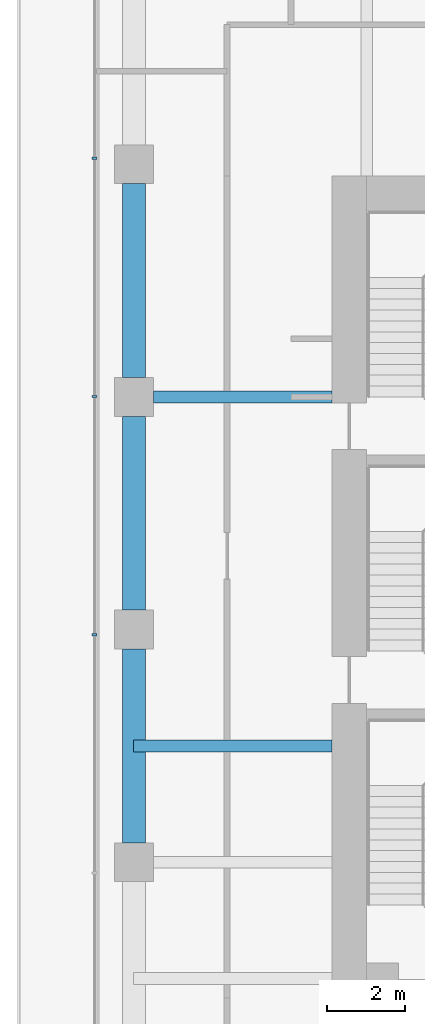
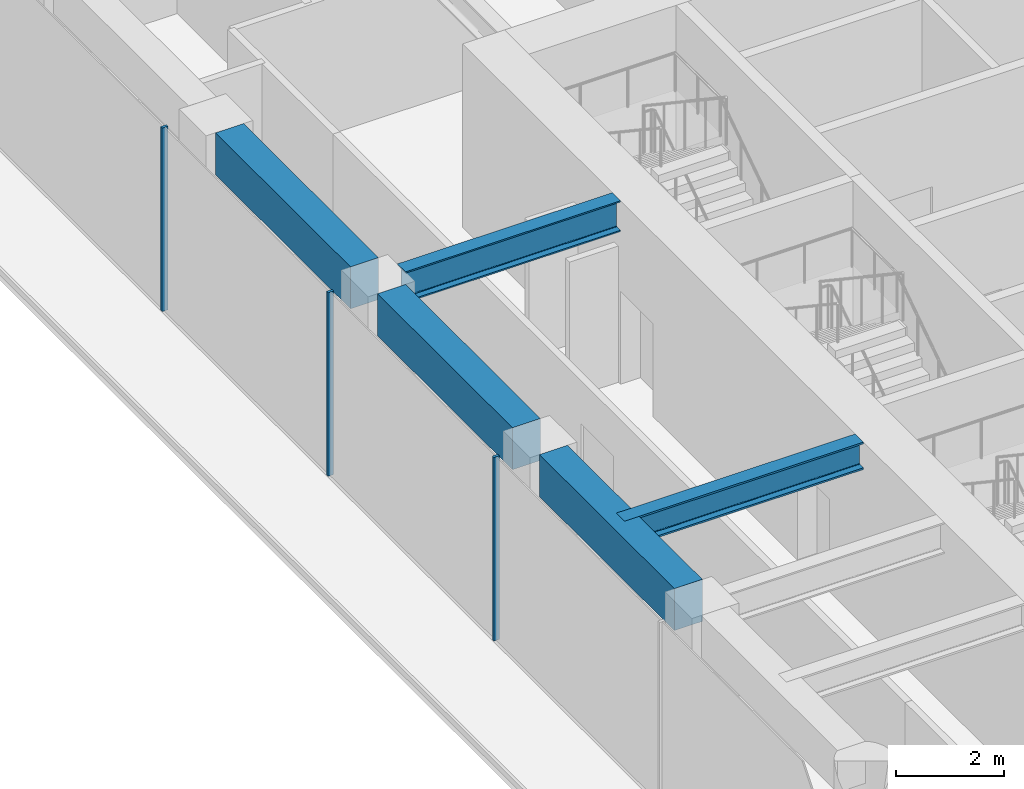
# One storey, part 4 of 24: 5 beams, 3 members, 1 element without a shape of its own.
"""IFC4 building model written with IfcOpenShell, lengths in metres."""

from ifc_helpers import new_model, si_unit, direction, frame, origin, origin_2d, place, context, subcontext, project, spatial, rectangle, i_section, extrude, material, layer, layer_set, material_profile, profile_set, type_object, element, aggregate, save


model = new_model("IFC4")

# Units and contexts
model_context = context("Model", 3, precision=1e-05, world=origin(), true_north=direction((0.0, 1.0)))
body_context = subcontext(model_context, "Body", "Model", "MODEL_VIEW")
ifc_project = project(units=[si_unit("LENGTHUNIT", "METRE"), si_unit("AREAUNIT", "SQUARE_METRE"), si_unit("VOLUMEUNIT", "CUBIC_METRE"), si_unit("PLANEANGLEUNIT", "RADIAN"), si_unit("MASSUNIT", "GRAM", prefix="KILO")], contexts=[model_context])

# Site, building, storey
site_placement = place(None, origin())
site = spatial("IfcSite", under=ifc_project, at=site_placement, CompositionType="ELEMENT")
building_placement = place(site_placement, origin())
building = spatial("IfcBuilding", under=site, at=building_placement, Name="Welwitschia Terrace Campus", CompositionType="ELEMENT")
storey_placement = place(building_placement, frame((0.0, 0.0, 15.5)))
storey = spatial("IfcBuildingStorey", under=building, at=storey_placement, Name="L03", CompositionType="ELEMENT", Elevation=15.5)

# Beam
ifc_material_1 = material(Name="Steel S355", Category="steel")
ifc_material_profile_1 = material_profile(ifc_material_1, i_section(OverallWidth=0.304931640625, OverallDepth=0.6201171875, WebThickness=0.02099609375, FlangeThickness=0.0400390625, FilletRadius=0.027099609375, at=origin_2d()))
ifc_profile_set_1 = profile_set([ifc_material_profile_1], Name="Steel S355")
beam_type_1 = type_object("IfcBeamType", Name="Interior girder HE 600 M", PredefinedType="BEAM", material=ifc_profile_set_1)
beam_1_placement = place(storey_placement, frame((-0.010009765625, 11.0, 3.840087890625), z_axis=(1.0, 0.0, 0.0), x_axis=(0.0, 1.0, 0.0)))
element("IfcBeam", 1, at=beam_1_placement, inside=storey, type_object=beam_type_1, Name="Girder GB1", PredefinedType="BEAM", context=body_context, shape_type="SweptSolid", body=[
    extrude(i_section(OverallWidth=0.304931640625, OverallDepth=0.6201171875, WebThickness=0.02099609375, FlangeThickness=0.0400390625, FilletRadius=0.027099609375, at=origin_2d()), origin(), (0.0, 0.0, 1.0), 5.109130859375),
])

# Curtain wall, members
ifc_material_2 = material(Name="Bronze anodised aluminium", Category="aluminium")
ifc_layer = layer(ifc_material_2, 0.1201171875)
ifc_layer_set = layer_set([ifc_layer], Name="Bronze anodised aluminium")
curtain_wall_type = type_object("IfcCurtainWallType", Name="Curtain wall CW2 tower 6000", PredefinedType="NOTDEFINED", material=ifc_layer_set)
curtain_wall_placement = place(storey_placement, origin())
curtain_wall = element("IfcCurtainWall", 2, at=curtain_wall_placement, inside=storey, type_object=curtain_wall_type, Name="CW L03.9.0", PredefinedType="NOTDEFINED")
ifc_material_3 = material(Name="Bronze anodised aluminium", Category="aluminium")
ifc_material_profile_2 = material_profile(ifc_material_3, rectangle(XDim=0.1201171875, YDim=0.06005859375, at=origin_2d()))
ifc_profile_set_2 = profile_set([ifc_material_profile_2], Name="Bronze anodised aluminium")
member_type = type_object("IfcMemberType", Name="Mullion 60x120", PredefinedType="MULLION", material=ifc_profile_set_2)
member_1_placement = place(storey_placement, frame((-1.02001953125, 26.154541015625, 0.0), z_axis=(0.0, 0.0, 1.0), x_axis=(1.0, 0.0, 0.0)))
member_1 = element("IfcMember", 3, at=member_1_placement, type_object=member_type, Name="Mullion L03.9.0.6", PredefinedType="MULLION", context=body_context, shape_type="SweptSolid", body=[
    extrude(rectangle(XDim=0.1201171875, YDim=0.06005859375, at=origin_2d()), origin(), (0.0, 0.0, 1.0), 4.14990234375),
])
member_2_placement = place(storey_placement, frame((-1.02001953125, 20.01025390625, 0.0), z_axis=(0.0, 0.0, 1.0), x_axis=(1.0, 0.0, 0.0)))
member_2 = element("IfcMember", 4, at=member_2_placement, type_object=member_type, Name="Mullion L03.9.0.7", PredefinedType="MULLION", context=body_context, shape_type="SweptSolid", body=[
    extrude(rectangle(XDim=0.1201171875, YDim=0.06005859375, at=origin_2d()), origin(), (0.0, 0.0, 1.0), 4.14990234375),
])
member_3_placement = place(storey_placement, frame((-1.02001953125, 13.865966796875, 0.0), z_axis=(0.0, 0.0, 1.0), x_axis=(1.0, 0.0, 0.0)))
member_3 = element("IfcMember", 5, at=member_3_placement, type_object=member_type, Name="Mullion L03.9.0.8", PredefinedType="MULLION", context=body_context, shape_type="SweptSolid", body=[
    extrude(rectangle(XDim=0.1201171875, YDim=0.06005859375, at=origin_2d()), origin(), (0.0, 0.0, 1.0), 4.14990234375),
])
aggregate(curtain_wall, [member_1, member_2, member_3])

# Beams
ifc_material_4 = material(Name="Steel S355", Category="steel")
ifc_material_profile_3 = material_profile(ifc_material_4, i_section(OverallWidth=0.300048828125, OverallDepth=0.699951171875, WebThickness=0.01708984375, FlangeThickness=0.031982421875, FilletRadius=0.027099609375, at=origin_2d()))
ifc_profile_set_3 = profile_set([ifc_material_profile_3], Name="Steel S355")
beam_type_2 = type_object("IfcBeamType", Name="Primary beam HE 700 B", PredefinedType="BEAM", material=ifc_profile_set_3)
beam_2_placement = place(storey_placement, frame((0.50048828125, 20.0, 3.800048828125), z_axis=(1.0, 0.0, 0.0), x_axis=(0.0, 1.0, 0.0)))
element("IfcBeam", 6, at=beam_2_placement, inside=storey, type_object=beam_type_2, Name="Primary beam PB1", PredefinedType="BEAM", context=body_context, shape_type="SweptSolid", body=[
    extrude(i_section(OverallWidth=0.300048828125, OverallDepth=0.699951171875, WebThickness=0.01708984375, FlangeThickness=0.031982421875, FilletRadius=0.027099609375, at=origin_2d()), origin(), (0.0, 0.0, 1.0), 4.599609375),
])
ifc_material_5 = material(Name="Concrete C60/75", Category="concrete")
ifc_material_profile_4 = material_profile(ifc_material_5, rectangle(XDim=0.60009765625, YDim=0.949951171875, at=origin_2d()))
ifc_profile_set_4 = profile_set([ifc_material_profile_4], Name="Concrete C60/75")
beam_type_3 = type_object("IfcBeamType", Name="Ring spandrel 600x950", PredefinedType="SPANDREL", material=ifc_profile_set_4)
for number, where, z_axis, x_axis, name in (
    (7, (0.0, 25.49951171875, 3.675048828125), (0.0, -1.0, 0.0), (1.0, 0.0, 0.0), "Spandrel SP1"),
    (8, (0.0, 19.49951171875, 3.675048828125), (0.0, -1.0, 0.0), (1.0, 0.0, 0.0), "Spandrel SP1"),
    (9, (0.0, 13.49951171875, 3.675048828125), (0.0, -1.0, 0.0), (1.0, 0.0, 0.0), "Spandrel SP1"),
):
    element("IfcBeam", number, at=place(storey_placement, frame(where, z_axis=z_axis, x_axis=x_axis)), inside=storey, type_object=beam_type_3, Name=name, PredefinedType="SPANDREL", context=body_context, shape_type="SweptSolid", body=[
        extrude(rectangle(XDim=0.60009765625, YDim=0.949951171875, at=origin_2d()), origin(), (0.0, 0.0, 1.0), 4.9990234375),
    ])

save(model, "model.ifc")
